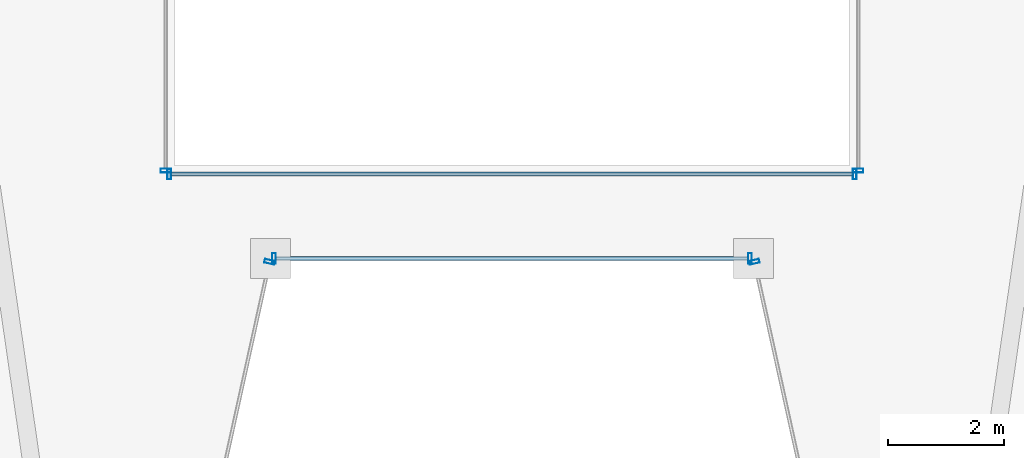
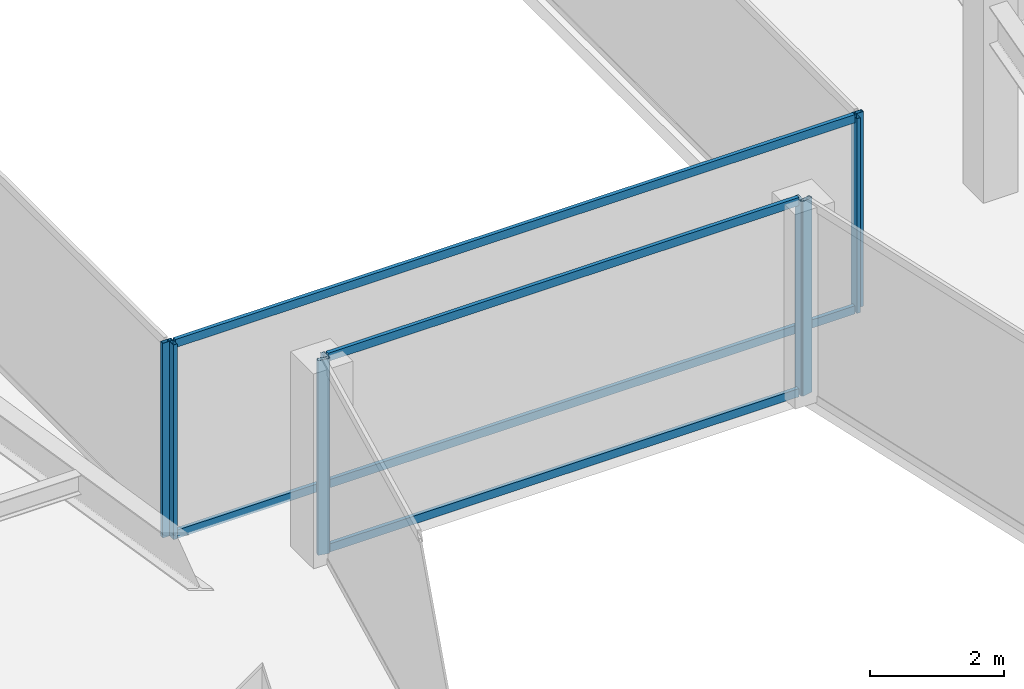
# One storey, part 7 of 36: 12 members, 6 elements without a shape of their own.
"""IFC4 building model written with IfcOpenShell, lengths in metres."""

from ifc_helpers import new_model, si_unit, direction, frame, origin, origin_2d, place, context, subcontext, project, spatial, hollow_rectangle, extrude, material, material_profile, profile_set, type_object, element, aggregate, save


model = new_model("IFC4")

# Units and contexts
model_context = context("Model", 3, precision=1e-05, world=origin(), true_north=direction((0.0, 1.0)))
body_context = subcontext(model_context, "Body", "Model", "MODEL_VIEW")
ifc_project = project(units=[si_unit("LENGTHUNIT", "METRE"), si_unit("AREAUNIT", "SQUARE_METRE"), si_unit("VOLUMEUNIT", "CUBIC_METRE"), si_unit("PLANEANGLEUNIT", "RADIAN"), si_unit("MASSUNIT", "GRAM", prefix="KILO")], contexts=[model_context])

# Site, building, storey
site_placement = place(None, origin())
site = spatial("IfcSite", under=ifc_project, at=site_placement, CompositionType="ELEMENT")
building_placement = place(site_placement, origin())
building = spatial("IfcBuilding", under=site, at=building_placement, Name="Saevonmaru Cultural Tower", CompositionType="ELEMENT")
storey_placement = place(building_placement, frame((0.0, 0.0, 156.199951171875)))
storey = spatial("IfcBuildingStorey", under=building, at=storey_placement, Name="L34", CompositionType="ELEMENT", Elevation=156.199951171875)

# Curtain wall, member
ifc_material = material(Name="Satin Bronze Anodised Aluminium", Category="aluminium")
curtain_wall_type_1 = type_object("IfcCurtainWallType", Name="CW-TYP-A", PredefinedType="NOTDEFINED", material=ifc_material)
curtain_wall_1_placement = place(storey_placement, origin())
curtain_wall_1 = element("IfcCurtainWall", 1, at=curtain_wall_1_placement, inside=storey, type_object=curtain_wall_type_1, Name="L34 Unitised Curtain Wall E3", PredefinedType="NOTDEFINED")
ifc_material_profile_1 = material_profile(ifc_material, hollow_rectangle(XDim=0.06494140625, YDim=0.179931640625, WallThickness=0.00390625, at=origin_2d()), Name="ALU-MULL-180x65x4")
ifc_profile_set_1 = profile_set([ifc_material_profile_1], Name="Satin Bronze Anodised Aluminium")
member_type_1 = type_object("IfcMemberType", Name="ML-CW-180x65", PredefinedType="MULLION", material=ifc_profile_set_1)
member_1_placement = place(storey_placement, frame((25.8359375, 20.741455078125, 0.0), z_axis=(0.0, 0.0, 1.0), x_axis=(0.215413319953, 0.976522965212, 0.0)))
member_1 = element("IfcMember", 2, at=member_1_placement, type_object=member_type_1, Name="CW-TW-L34-E3 mullion 2", PredefinedType="MULLION", context=body_context, shape_type="SweptSolid", body=[
    extrude(hollow_rectangle(XDim=0.06494140625, YDim=0.179931640625, WallThickness=0.00390625, at=origin_2d()), origin(), (0.0, 0.0, 1.0), 3.550048828125),
])
aggregate(curtain_wall_1, [member_1])

# Curtain wall, members
curtain_wall_2_placement = place(storey_placement, origin())
curtain_wall_2 = element("IfcCurtainWall", 3, at=curtain_wall_2_placement, inside=storey, type_object=curtain_wall_type_1, Name="L34 Unitised Curtain Wall E4", PredefinedType="NOTDEFINED")
member_2_placement = place(storey_placement, frame((25.908935546875, 20.800048828125, 0.0), z_axis=(0.0, 0.0, 1.0), x_axis=(1.0, 0.0, 0.0)))
member_2 = element("IfcMember", 4, at=member_2_placement, type_object=member_type_1, Name="CW-TW-L34-E4 mullion 1", PredefinedType="MULLION", context=body_context, shape_type="SweptSolid", body=[
    extrude(hollow_rectangle(XDim=0.06494140625, YDim=0.179931640625, WallThickness=0.00390625, at=origin_2d()), origin(), (0.0, 0.0, 1.0), 3.550048828125),
])
member_3_placement = place(storey_placement, frame((34.091064453125, 20.800048828125, 0.0), z_axis=(0.0, 0.0, 1.0), x_axis=(1.0, 0.0, 0.0)))
member_3 = element("IfcMember", 5, at=member_3_placement, type_object=member_type_1, Name="CW-TW-L34-E4 mullion 2", PredefinedType="MULLION", context=body_context, shape_type="SweptSolid", body=[
    extrude(hollow_rectangle(XDim=0.06494140625, YDim=0.179931640625, WallThickness=0.00390625, at=origin_2d()), origin(), (0.0, 0.0, 1.0), 3.550048828125),
])

# Curtain wall, member
curtain_wall_3_placement = place(storey_placement, origin())
curtain_wall_3 = element("IfcCurtainWall", 6, at=curtain_wall_3_placement, inside=storey, type_object=curtain_wall_type_1, Name="L34 Unitised Curtain Wall E5", PredefinedType="NOTDEFINED")
member_4_placement = place(storey_placement, frame((34.1640625, 20.741455078125, 0.0), z_axis=(0.0, 0.0, 1.0), x_axis=(0.215413319953, -0.976522965212, 0.0)))
member_4 = element("IfcMember", 7, at=member_4_placement, type_object=member_type_1, Name="CW-TW-L34-E5 mullion 1", PredefinedType="MULLION", context=body_context, shape_type="SweptSolid", body=[
    extrude(hollow_rectangle(XDim=0.06494140625, YDim=0.179931640625, WallThickness=0.00390625, at=origin_2d()), origin(), (0.0, 0.0, 1.0), 3.550048828125),
])
aggregate(curtain_wall_3, [member_4])

# Curtain wall, members
curtain_wall_type_2 = type_object("IfcCurtainWallType", Name="CW-ATR-GLZ", PredefinedType="NOTDEFINED", material=ifc_material)
curtain_wall_4_placement = place(storey_placement, origin())
curtain_wall_4 = element("IfcCurtainWall", 8, at=curtain_wall_4_placement, inside=storey, type_object=curtain_wall_type_2, Name="L34 Vertical Atrium Glazed Smoke Screen 1", PredefinedType="NOTDEFINED")
ifc_material_profile_2 = material_profile(ifc_material, hollow_rectangle(XDim=0.06494140625, YDim=0.179931640625, WallThickness=0.00390625, at=origin_2d()), Name="ALU-MULL-180x65x4")
ifc_profile_set_2 = profile_set([ifc_material_profile_2], Name="Satin Bronze Anodised Aluminium")
member_type_2 = type_object("IfcMemberType", Name="ML-CW-INT-180x65", PredefinedType="MULLION", material=ifc_profile_set_2)
member_5_placement = place(storey_placement, frame((24.110107421875, 22.25, 0.0), z_axis=(0.0, 0.0, 1.0), x_axis=(1.0, 0.0, 0.0)))
member_5 = element("IfcMember", 9, at=member_5_placement, type_object=member_type_2, Name="CW-ATR-L34-1 mullion 1", PredefinedType="MULLION", context=body_context, shape_type="SweptSolid", body=[
    extrude(hollow_rectangle(XDim=0.06494140625, YDim=0.179931640625, WallThickness=0.00390625, at=origin_2d()), origin(), (0.0, 0.0, 1.0), 3.550048828125),
])
member_6_placement = place(storey_placement, frame((35.889892578125, 22.25, 0.0), z_axis=(0.0, 0.0, 1.0), x_axis=(1.0, 0.0, 0.0)))
member_6 = element("IfcMember", 10, at=member_6_placement, type_object=member_type_2, Name="CW-ATR-L34-1 mullion 2", PredefinedType="MULLION", context=body_context, shape_type="SweptSolid", body=[
    extrude(hollow_rectangle(XDim=0.06494140625, YDim=0.179931640625, WallThickness=0.00390625, at=origin_2d()), origin(), (0.0, 0.0, 1.0), 3.550048828125),
])

# Curtain wall, member
curtain_wall_5_placement = place(storey_placement, origin())
curtain_wall_5 = element("IfcCurtainWall", 11, at=curtain_wall_5_placement, inside=storey, type_object=curtain_wall_type_2, Name="L34 Vertical Atrium Glazed Smoke Screen 2", PredefinedType="NOTDEFINED")
member_7_placement = place(storey_placement, frame((35.949951171875, 22.31005859375, 0.0), z_axis=(0.0, 0.0, 1.0), x_axis=(0.0, 1.0, 0.0)))
member_7 = element("IfcMember", 12, at=member_7_placement, type_object=member_type_2, Name="CW-ATR-L34-2 mullion 1", PredefinedType="MULLION", context=body_context, shape_type="SweptSolid", body=[
    extrude(hollow_rectangle(XDim=0.06494140625, YDim=0.179931640625, WallThickness=0.00390625, at=origin_2d()), origin(), (0.0, 0.0, 1.0), 3.550048828125),
])
aggregate(curtain_wall_5, [member_7])

curtain_wall_6_placement = place(storey_placement, origin())
curtain_wall_6 = element("IfcCurtainWall", 13, at=curtain_wall_6_placement, inside=storey, type_object=curtain_wall_type_2, Name="L34 Vertical Atrium Glazed Smoke Screen 4", PredefinedType="NOTDEFINED")
member_8_placement = place(storey_placement, frame((24.050048828125, 22.31005859375, 0.0), z_axis=(0.0, 0.0, 1.0), x_axis=(0.0, -1.0, 0.0)))
member_8 = element("IfcMember", 14, at=member_8_placement, type_object=member_type_2, Name="CW-ATR-L34-4 mullion 2", PredefinedType="MULLION", context=body_context, shape_type="SweptSolid", body=[
    extrude(hollow_rectangle(XDim=0.06494140625, YDim=0.179931640625, WallThickness=0.00390625, at=origin_2d()), origin(), (0.0, 0.0, 1.0), 3.550048828125),
])
aggregate(curtain_wall_6, [member_8])

# Member
ifc_material_profile_3 = material_profile(ifc_material, hollow_rectangle(XDim=0.06494140625, YDim=0.14990234375, WallThickness=0.00390625, at=origin_2d()), Name="ALU-TRAN-150x65x4")
ifc_profile_set_3 = profile_set([ifc_material_profile_3], Name="Satin Bronze Anodised Aluminium")
member_type_3 = type_object("IfcMemberType", Name="TR-CW-150x65", PredefinedType="USERDEFINED", material=ifc_profile_set_3)
member_9_placement = place(storey_placement, frame((25.94140625, 20.800048828125, 0.032470703125), z_axis=(1.0, 0.0, 0.0), x_axis=(0.0, 1.0, 0.0)))
member_9 = element("IfcMember", 15, at=member_9_placement, type_object=member_type_3, Name="CW-TW-L34-E4 transom 1.1", ObjectType="TRANSOM", PredefinedType="USERDEFINED", context=body_context, shape_type="SweptSolid", body=[
    extrude(hollow_rectangle(XDim=0.06494140625, YDim=0.14990234375, WallThickness=0.00390625, at=origin_2d()), origin(), (0.0, 0.0, 1.0), 8.1171875),
])

member_10_placement = place(storey_placement, frame((25.94140625, 20.800048828125, 3.517578125), z_axis=(1.0, 0.0, 0.0), x_axis=(0.0, 1.0, 0.0)))
member_10 = element("IfcMember", 16, at=member_10_placement, type_object=member_type_3, Name="CW-TW-L34-E4 transom 1.2", ObjectType="TRANSOM", PredefinedType="USERDEFINED", context=body_context, shape_type="SweptSolid", body=[
    extrude(hollow_rectangle(XDim=0.06494140625, YDim=0.14990234375, WallThickness=0.00390625, at=origin_2d()), origin(), (0.0, 0.0, 1.0), 8.1171875),
])

aggregate(curtain_wall_2, [member_2, member_3, member_9, member_10])

ifc_material_profile_4 = material_profile(ifc_material, hollow_rectangle(XDim=0.06494140625, YDim=0.14990234375, WallThickness=0.00390625, at=origin_2d()), Name="ALU-TRAN-150x65x4")
ifc_profile_set_4 = profile_set([ifc_material_profile_4], Name="Satin Bronze Anodised Aluminium")
member_type_4 = type_object("IfcMemberType", Name="TR-CW-INT-150x65", PredefinedType="USERDEFINED", material=ifc_profile_set_4)
member_11_placement = place(storey_placement, frame((24.142578125, 22.25, 0.032470703125), z_axis=(1.0, 0.0, 0.0), x_axis=(0.0, 1.0, 0.0)))
member_11 = element("IfcMember", 17, at=member_11_placement, type_object=member_type_4, Name="CW-ATR-L34-1 transom 1.1", ObjectType="TRANSOM", PredefinedType="USERDEFINED", context=body_context, shape_type="SweptSolid", body=[
    extrude(hollow_rectangle(XDim=0.06494140625, YDim=0.14990234375, WallThickness=0.00390625, at=origin_2d()), origin(), (0.0, 0.0, 1.0), 11.71484375),
])

member_12_placement = place(storey_placement, frame((24.142578125, 22.25, 3.517578125), z_axis=(1.0, 0.0, 0.0), x_axis=(0.0, 1.0, 0.0)))
member_12 = element("IfcMember", 18, at=member_12_placement, type_object=member_type_4, Name="CW-ATR-L34-1 transom 1.2", ObjectType="TRANSOM", PredefinedType="USERDEFINED", context=body_context, shape_type="SweptSolid", body=[
    extrude(hollow_rectangle(XDim=0.06494140625, YDim=0.14990234375, WallThickness=0.00390625, at=origin_2d()), origin(), (0.0, 0.0, 1.0), 11.71484375),
])

aggregate(curtain_wall_4, [member_5, member_6, member_11, member_12])

save(model, "model.ifc")
